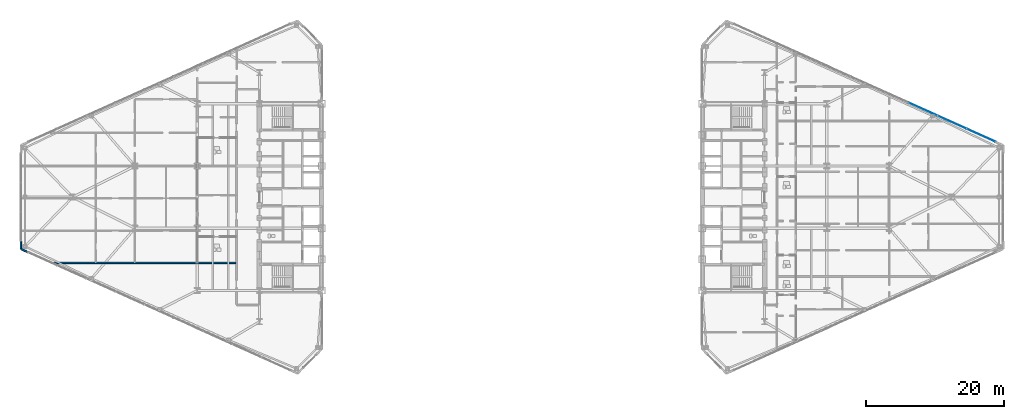
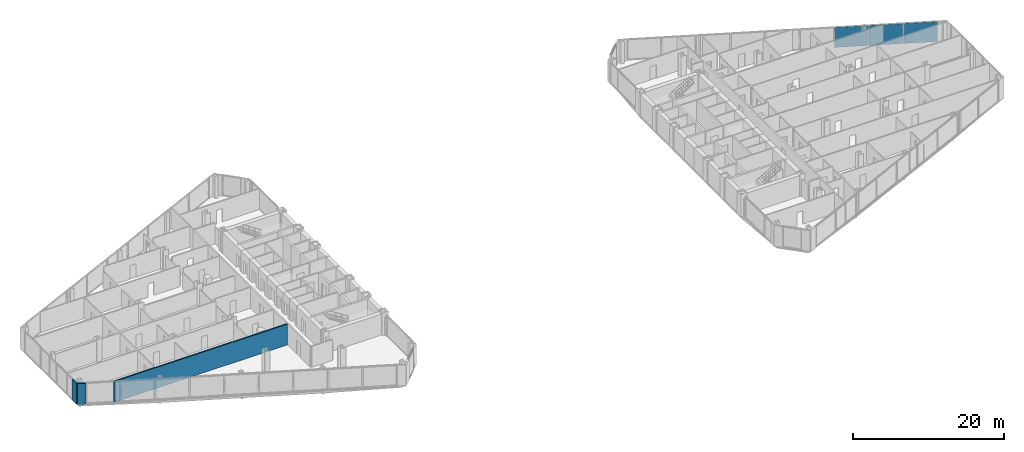
# One storey, part 18 of 27: 3 plates, 3 walls, 1 element without a shape of its own.
"""IFC4 building model written with IfcOpenShell, lengths in metres."""

from ifc_helpers import new_model, si_unit, direction, frame, frame_2d, origin, origin_2d, place, context, subcontext, project, spatial, rectangle, extrude, source, transform, mapped, material, layer, layer_set, type_object, type_shapes, element, aggregate, save


model = new_model("IFC4")

# Units and contexts
model_context = context("Model", 3, precision=1e-05, world=origin(), true_north=direction((0.0, 1.0)))
body_context = subcontext(model_context, "Body", "Model", "MODEL_VIEW")
ifc_project = project(units=[si_unit("LENGTHUNIT", "METRE"), si_unit("AREAUNIT", "SQUARE_METRE"), si_unit("VOLUMEUNIT", "CUBIC_METRE"), si_unit("PLANEANGLEUNIT", "RADIAN"), si_unit("MASSUNIT", "GRAM", prefix="KILO")], contexts=[model_context])

# Site, building, storey
site_placement = place(None, origin())
site = spatial("IfcSite", under=ifc_project, at=site_placement, CompositionType="ELEMENT")
building_placement = place(site_placement, origin())
building = spatial("IfcBuilding", under=site, at=building_placement, Name="Seokmaru Belvedere", CompositionType="ELEMENT")
storey_placement = place(building_placement, frame((0.0, 0.0, 80.10009765625)))
storey = spatial("IfcBuildingStorey", under=building, at=storey_placement, Name="L21", CompositionType="ELEMENT", Elevation=80.10009765625)

# Curtain wall, plates
ifc_material_1 = material(Name="Bronze Triple Insulating Glass", Category="glass")
ifc_layer_1 = layer(ifc_material_1, 0.195068359375)
ifc_layer_set_1 = layer_set([ifc_layer_1], Name="Bronze Triple Insulating Glass")
curtain_wall_type = type_object("IfcCurtainWallType", Name="Lower-Mid Tapered Curtain Wall System CW-3", PredefinedType="NOTDEFINED", material=ifc_layer_set_1)
curtain_wall_placement = place(storey_placement, origin())
curtain_wall = element("IfcCurtainWall", 1, at=curtain_wall_placement, inside=storey, type_object=curtain_wall_type, Name="L21 Curtain Wall EF3", PredefinedType="NOTDEFINED")
ifc_layer_2 = layer(ifc_material_1, 0.035888671875)
ifc_layer_set_2 = layer_set([ifc_layer_2], Name="Bronze Triple Insulating Glass")
plate_type = type_object("IfcPlateType", Name="Bronze Triple Vision Glazing Panel 36", PredefinedType="CURTAIN_PANEL", material=ifc_layer_set_2)
shared_shape_1 = source(origin(), body_context, "Body", "SweptSolid", [
    extrude(rectangle(XDim=4.51318359375, YDim=0.035888671875, at=origin_2d()), origin(), (0.0, 0.0, 1.0), 3.239990234375),
])
plate_1_placement = place(storey_placement, frame((67.82958984375, 8.926513671875, 0.06982421875), z_axis=(0.0, 0.0, 1.0), x_axis=(-0.91192111353, 0.41036554765, 0.0)))
plate_1 = element("IfcPlate", 2, at=plate_1_placement, type_object=plate_type, Name="CW:L21:EF3 Glazing Panel 1-1", PredefinedType="CURTAIN_PANEL", context=body_context, shape_type="MappedRepresentation", body=[
    mapped(shared_shape_1, transform((0.0, 0.0, 0.0), scale=1.0)),
])
shared_shape_2 = source(origin(), body_context, "Body", "SweptSolid", [
    extrude(rectangle(XDim=4.548095703125, YDim=0.035888671875, at=origin_2d()), origin(), (0.0, 0.0, 1.0), 3.239990234375),
])
type_shapes(plate_type, [shared_shape_1, shared_shape_2])
plate_2_placement = place(storey_placement, frame((63.63427734375, 10.814697265625, 0.06982421875), z_axis=(0.0, 0.0, 1.0), x_axis=(-0.91192111353, 0.41036554765, 0.0)))
plate_2 = element("IfcPlate", 3, at=plate_2_placement, type_object=plate_type, Name="CW:L21:EF3 Glazing Panel 2-1", PredefinedType="CURTAIN_PANEL", context=body_context, shape_type="MappedRepresentation", body=[
    mapped(shared_shape_2, transform((0.0, 0.0, 0.0), scale=1.0)),
])
plate_3_placement = place(storey_placement, frame((59.4228515625, 12.709716796875, 0.06982421875), z_axis=(0.0, 0.0, 1.0), x_axis=(-0.91192111353, 0.41036554765, 0.0)))
plate_3 = element("IfcPlate", 4, at=plate_3_placement, type_object=plate_type, Name="CW:L21:EF3 Glazing Panel 3-1", PredefinedType="CURTAIN_PANEL", context=body_context, shape_type="MappedRepresentation", body=[
    mapped(shared_shape_2, transform((0.0, 0.0, 0.0), scale=1.0)),
])
aggregate(curtain_wall, [plate_1, plate_2, plate_3])

# Walls
ifc_material_2 = material(Name="Fire-Rated Gypsum Shaftwall")
ifc_layer_3 = layer(ifc_material_2, 0.199951171875)
ifc_layer_set_3 = layer_set([ifc_layer_3], Name="Fire-Rated Gypsum Shaftwall")
wall_type_1 = type_object("IfcWallType", Name="Inter-Tenancy Fire Compartment Partition 200", PredefinedType="PARTITIONING", material=ifc_layer_set_3)
wall_placement = place(storey_placement, frame((-66.568115234375, -9.5, 0.0), z_axis=(0.0, 0.0, 1.0), x_axis=(1.0, 0.0, 0.0)))
element("IfcWall", 5, at=wall_placement, inside=storey, type_object=wall_type_1, Name="L21 Interior Partition 008", PredefinedType="PARTITIONING", context=body_context, shape_type="SweptSolid", body=[
    extrude(rectangle(XDim=26.63818359375, YDim=0.199951171875, at=frame_2d((13.319091796875, 0.0))), origin(), (0.0, 0.0, 1.0), 3.3798828125),
])
ifc_material_3 = material(Name="Anodised Bronze Aluminium", Category="aluminium")
ifc_layer_4 = layer(ifc_material_3, 0.239990234375)
ifc_layer_set_4 = layer_set([ifc_layer_4], Name="Anodised Bronze Aluminium")
wall_type_2 = type_object("IfcWallType", Name="Tower Corner Spandrel Closure Wall 240", PredefinedType="SOLIDWALL", material=ifc_layer_set_4)
for number, where, z_axis, x_axis, name in (
    (6, (-71.0, -6.35009765625, 0.0), (0.0, 0.0, 1.0), (0.0, -1.0, 0.0), "L21 W Corner Closure Pier 4B"),
    (7, (-70.990966796875, -7.504150390625, 0.0), (0.0, 0.0, 1.0), (0.911929519623, -0.410346866979, 0.0), "L21 W Corner Closure Pier 5A"),
):
    element("IfcWall", number, at=place(storey_placement, frame(where, z_axis=z_axis, x_axis=x_axis)), inside=storey, type_object=wall_type_2, Name=name, PredefinedType="SOLIDWALL", context=body_context, shape_type="SweptSolid", body=[
        extrude(rectangle(XDim=1.139892578125, YDim=0.239990234375, at=frame_2d((0.56982421875, 0.0))), origin(), (0.0, 0.0, 1.0), 3.3798828125),
    ])

save(model, "model.ifc")
